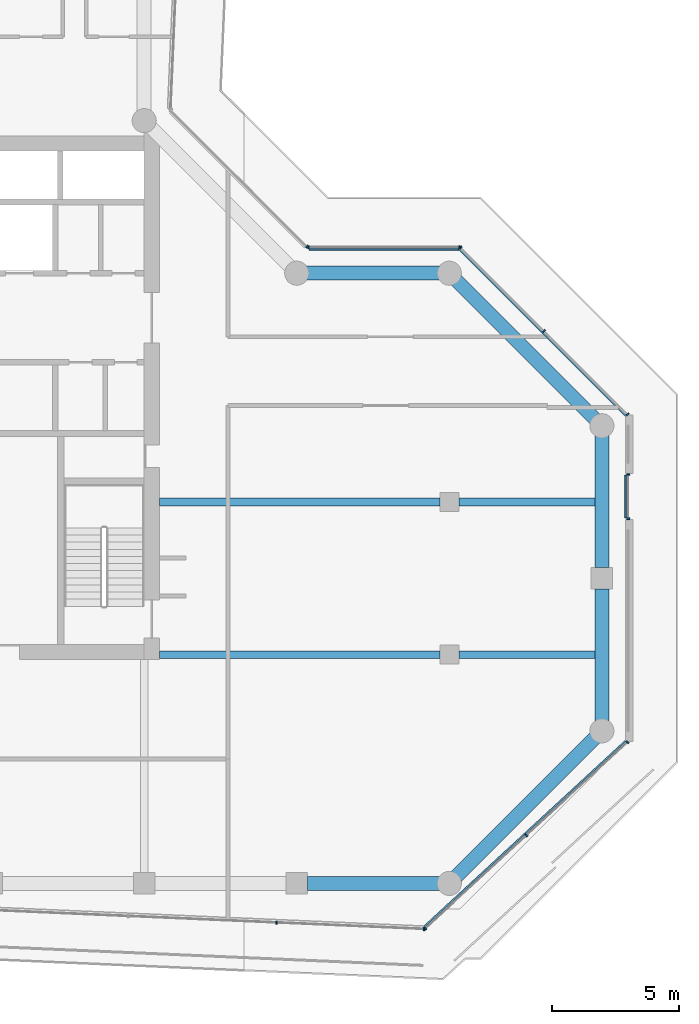
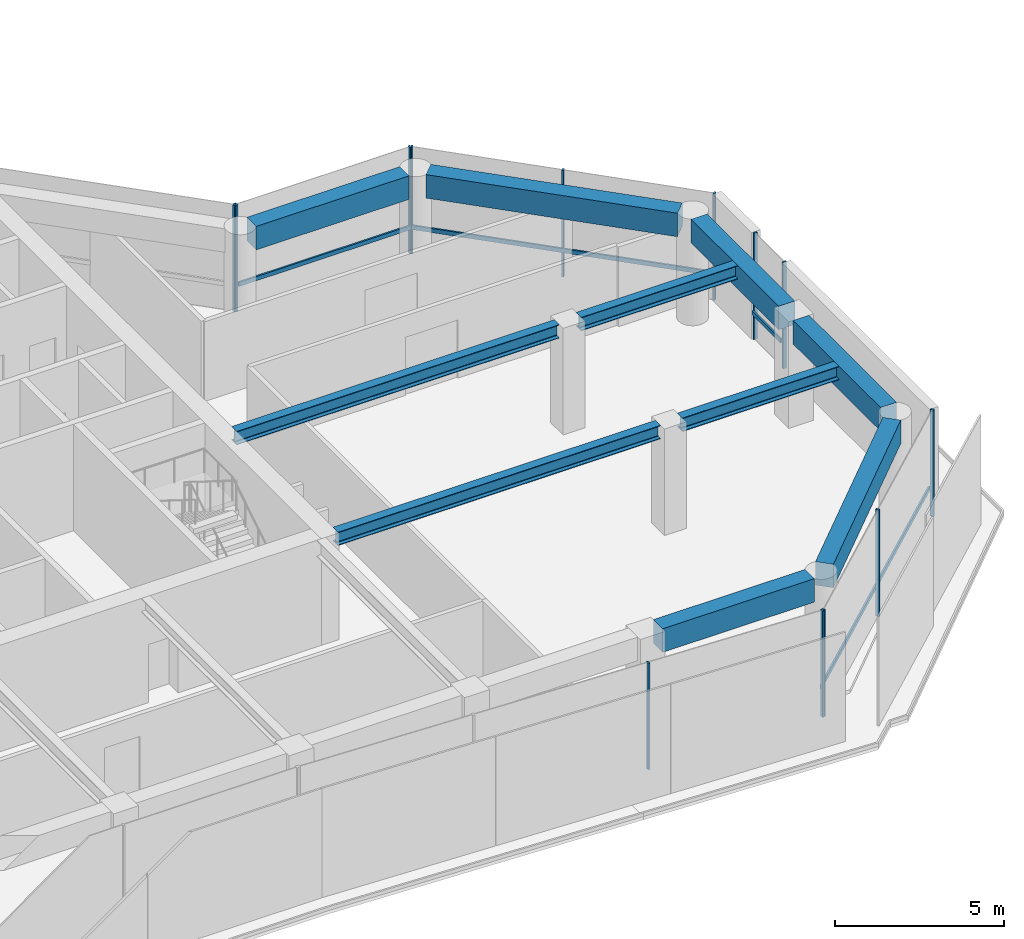
# One storey, part 6 of 21: 17 members, 10 beams, 6 elements without a shape of their own.
"""IFC4 building model written with IfcOpenShell, lengths in metres."""

from ifc_helpers import new_model, si_unit, direction, frame, origin, origin_2d, place, context, subcontext, project, spatial, rectangle, i_section, extrude, material, layer, layer_set, material_profile, profile_set, type_object, element, aggregate, save


model = new_model("IFC4")

# Units and contexts
model_context = context("Model", 3, precision=1e-05, world=origin(), true_north=direction((0.0, 1.0)))
body_context = subcontext(model_context, "Body", "Model", "MODEL_VIEW")
ifc_project = project(units=[si_unit("LENGTHUNIT", "METRE"), si_unit("AREAUNIT", "SQUARE_METRE"), si_unit("VOLUMEUNIT", "CUBIC_METRE"), si_unit("PLANEANGLEUNIT", "RADIAN"), si_unit("MASSUNIT", "GRAM", prefix="KILO")], contexts=[model_context])

# Site, building, storey
site_placement = place(None, origin())
site = spatial("IfcSite", under=ifc_project, at=site_placement, CompositionType="ELEMENT")
building_placement = place(site_placement, origin())
building = spatial("IfcBuilding", under=site, at=building_placement, Name="Welwitschia Terrace Campus", CompositionType="ELEMENT")
storey_placement = place(building_placement, frame((0.0, 0.0, 159.199951171875)))
storey = spatial("IfcBuildingStorey", under=building, at=storey_placement, Name="L35", CompositionType="ELEMENT", Elevation=159.199951171875)

# Beams
ifc_material_1 = material(Name="Steel S355", Category="steel")
ifc_material_profile_1 = material_profile(ifc_material_1, i_section(OverallWidth=0.300048828125, OverallDepth=0.489990234375, WebThickness=0.011962890625, FlangeThickness=0.02294921875, FilletRadius=0.027099609375, at=origin_2d()))
ifc_profile_set_1 = profile_set([ifc_material_profile_1], Name="Steel S355")
beam_type_1 = type_object("IfcBeamType", Name="Interior girder HE 500 A", PredefinedType="BEAM", material=ifc_profile_set_1)
beam_1_placement = place(storey_placement, frame((24.60107421875, 5.0, 3.60498046875), z_axis=(1.0, 0.0, 0.0), x_axis=(0.0, 1.0, 0.0)))
element("IfcBeam", 1, at=beam_1_placement, inside=storey, type_object=beam_type_1, Name="Girder GB4", PredefinedType="BEAM", context=body_context, shape_type="SweptSolid", body=[
    extrude(i_section(OverallWidth=0.300048828125, OverallDepth=0.489990234375, WebThickness=0.011962890625, FlangeThickness=0.02294921875, FilletRadius=0.027099609375, at=origin_2d()), origin(), (0.0, 0.0, 1.0), 11.0234375),
])
beam_2_placement = place(storey_placement, frame((36.37548828125, 5.0, 3.60498046875), z_axis=(1.0, 0.0, 0.0), x_axis=(0.0, 1.0, 0.0)))
element("IfcBeam", 2, at=beam_2_placement, inside=storey, type_object=beam_type_1, Name="Girder GB4", PredefinedType="BEAM", context=body_context, shape_type="SweptSolid", body=[
    extrude(i_section(OverallWidth=0.300048828125, OverallDepth=0.489990234375, WebThickness=0.011962890625, FlangeThickness=0.02294921875, FilletRadius=0.027099609375, at=origin_2d()), origin(), (0.0, 0.0, 1.0), 5.634521484375),
])
beam_3_placement = place(storey_placement, frame((24.60107421875, 11.0, 3.60498046875), z_axis=(1.0, 0.0, 0.0), x_axis=(0.0, 1.0, 0.0)))
element("IfcBeam", 3, at=beam_3_placement, inside=storey, type_object=beam_type_1, Name="Girder GB4", PredefinedType="BEAM", context=body_context, shape_type="SweptSolid", body=[
    extrude(i_section(OverallWidth=0.300048828125, OverallDepth=0.489990234375, WebThickness=0.011962890625, FlangeThickness=0.02294921875, FilletRadius=0.027099609375, at=origin_2d()), origin(), (0.0, 0.0, 1.0), 11.0234375),
])
beam_4_placement = place(storey_placement, frame((36.37548828125, 11.0, 3.60498046875), z_axis=(1.0, 0.0, 0.0), x_axis=(0.0, 1.0, 0.0)))
element("IfcBeam", 4, at=beam_4_placement, inside=storey, type_object=beam_type_1, Name="Girder GB4", PredefinedType="BEAM", context=body_context, shape_type="SweptSolid", body=[
    extrude(i_section(OverallWidth=0.300048828125, OverallDepth=0.489990234375, WebThickness=0.011962890625, FlangeThickness=0.02294921875, FilletRadius=0.027099609375, at=origin_2d()), origin(), (0.0, 0.0, 1.0), 5.634521484375),
])

# Curtain wall, members
ifc_material_2 = material(Name="Bronze anodised aluminium", Category="aluminium")
ifc_layer = layer(ifc_material_2, 0.1201171875)
ifc_layer_set = layer_set([ifc_layer], Name="Bronze anodised aluminium")
curtain_wall_type = type_object("IfcCurtainWallType", Name="Curtain wall CW2 tower 6000", PredefinedType="NOTDEFINED", material=ifc_layer_set)
curtain_wall_1_placement = place(storey_placement, origin())
curtain_wall_1 = element("IfcCurtainWall", 5, at=curtain_wall_1_placement, inside=storey, type_object=curtain_wall_type, Name="CW L35.3.0", PredefinedType="NOTDEFINED")
ifc_material_3 = material(Name="Bronze anodised aluminium", Category="aluminium")
ifc_material_profile_2 = material_profile(ifc_material_3, rectangle(XDim=0.1201171875, YDim=0.06005859375, at=origin_2d()))
ifc_profile_set_2 = profile_set([ifc_material_profile_2], Name="Bronze anodised aluminium")
member_type_1 = type_object("IfcMemberType", Name="Mullion 60x120", PredefinedType="MULLION", material=ifc_profile_set_2)
member_1_placement = place(storey_placement, frame((29.199951171875, -5.53955078125, 0.0), z_axis=(0.0, 0.0, 1.0), x_axis=(0.043619387365, 0.999048221582, 0.0)))
member_1 = element("IfcMember", 6, at=member_1_placement, type_object=member_type_1, Name="Mullion L35.3.0.2", PredefinedType="MULLION", context=body_context, shape_type="SweptSolid", body=[
    extrude(rectangle(XDim=0.1201171875, YDim=0.06005859375, at=origin_2d()), origin(), (0.0, 0.0, 1.0), 3.85009765625),
])
member_2_placement = place(storey_placement, frame((35.00634765625, -5.793212890625, 0.0), z_axis=(0.0, 0.0, 1.0), x_axis=(0.043619387365, 0.999048221582, 0.0)))
member_2 = element("IfcMember", 7, at=member_2_placement, type_object=member_type_1, Name="Mullion L35.3.0.3", PredefinedType="MULLION", context=body_context, shape_type="SweptSolid", body=[
    extrude(rectangle(XDim=0.1201171875, YDim=0.06005859375, at=origin_2d()), origin(), (0.0, 0.0, 1.0), 3.85009765625),
])
aggregate(curtain_wall_1, [member_1, member_2])

curtain_wall_2_placement = place(storey_placement, origin())
curtain_wall_2 = element("IfcCurtainWall", 8, at=curtain_wall_2_placement, inside=storey, type_object=curtain_wall_type, Name="CW L35.4.0", PredefinedType="NOTDEFINED")
member_3_placement = place(storey_placement, frame((35.058349609375, -5.774169921875, 0.0), z_axis=(0.0, 0.0, 1.0), x_axis=(-0.677730030017, 0.735310822995, 0.0)))
member_3 = element("IfcMember", 9, at=member_3_placement, type_object=member_type_1, Name="Mullion L35.4.0.0", PredefinedType="MULLION", context=body_context, shape_type="SweptSolid", body=[
    extrude(rectangle(XDim=0.1201171875, YDim=0.06005859375, at=origin_2d()), origin(), (0.0, 0.0, 1.0), 3.85009765625),
])
member_4_placement = place(storey_placement, frame((39.033203125, -2.110595703125, 0.0), z_axis=(0.0, 0.0, 1.0), x_axis=(-0.677730030017, 0.735310822995, 0.0)))
member_4 = element("IfcMember", 10, at=member_4_placement, type_object=member_type_1, Name="Mullion L35.4.0.1", PredefinedType="MULLION", context=body_context, shape_type="SweptSolid", body=[
    extrude(rectangle(XDim=0.1201171875, YDim=0.06005859375, at=origin_2d()), origin(), (0.0, 0.0, 1.0), 3.85009765625),
])
member_5_placement = place(storey_placement, frame((43.008056640625, 1.552978515625, 0.0), z_axis=(0.0, 0.0, 1.0), x_axis=(-0.677730030017, 0.735310822995, 0.0)))
member_5 = element("IfcMember", 11, at=member_5_placement, type_object=member_type_1, Name="Mullion L35.4.0.2", PredefinedType="MULLION", context=body_context, shape_type="SweptSolid", body=[
    extrude(rectangle(XDim=0.1201171875, YDim=0.06005859375, at=origin_2d()), origin(), (0.0, 0.0, 1.0), 3.85009765625),
])

curtain_wall_3_placement = place(storey_placement, origin())
curtain_wall_3 = element("IfcCurtainWall", 12, at=curtain_wall_3_placement, inside=storey, type_object=curtain_wall_type, Name="CW L35.5.S0", PredefinedType="NOTDEFINED")
member_6_placement = place(storey_placement, frame((43.030029296875, 10.34326171875, 0.0), z_axis=(0.0, 0.0, 1.0), x_axis=(-1.0, 0.0, 0.0)))
member_6 = element("IfcMember", 13, at=member_6_placement, type_object=member_type_1, Name="Mullion L35.5.S0.0", PredefinedType="MULLION", context=body_context, shape_type="SweptSolid", body=[
    extrude(rectangle(XDim=0.1201171875, YDim=0.06005859375, at=origin_2d()), origin(), (0.0, 0.0, 1.0), 3.85009765625),
])
member_7_placement = place(storey_placement, frame((43.030029296875, 12.083251953125, 0.0), z_axis=(0.0, 0.0, 1.0), x_axis=(-1.0, 0.0, 0.0)))
member_7 = element("IfcMember", 14, at=member_7_placement, type_object=member_type_1, Name="Mullion L35.5.S0.1", PredefinedType="MULLION", context=body_context, shape_type="SweptSolid", body=[
    extrude(rectangle(XDim=0.1201171875, YDim=0.06005859375, at=origin_2d()), origin(), (0.0, 0.0, 1.0), 3.85009765625),
])

curtain_wall_4_placement = place(storey_placement, origin())
curtain_wall_4 = element("IfcCurtainWall", 15, at=curtain_wall_4_placement, inside=storey, type_object=curtain_wall_type, Name="CW L35.6.0", PredefinedType="NOTDEFINED")
member_8_placement = place(storey_placement, frame((43.0087890625, 14.44775390625, 0.0), z_axis=(0.0, 0.0, 1.0), x_axis=(-0.707106781187, -0.707106781187, 0.0)))
member_8 = element("IfcMember", 16, at=member_8_placement, type_object=member_type_1, Name="Mullion L35.6.0.0", PredefinedType="MULLION", context=body_context, shape_type="SweptSolid", body=[
    extrude(rectangle(XDim=0.1201171875, YDim=0.06005859375, at=origin_2d()), origin(), (0.0, 0.0, 1.0), 3.85009765625),
])
member_9_placement = place(storey_placement, frame((39.728271484375, 17.728271484375, 0.0), z_axis=(0.0, 0.0, 1.0), x_axis=(-0.707106781187, -0.707106781187, 0.0)))
member_9 = element("IfcMember", 17, at=member_9_placement, type_object=member_type_1, Name="Mullion L35.6.0.1", PredefinedType="MULLION", context=body_context, shape_type="SweptSolid", body=[
    extrude(rectangle(XDim=0.1201171875, YDim=0.06005859375, at=origin_2d()), origin(), (0.0, 0.0, 1.0), 3.85009765625),
])
member_10_placement = place(storey_placement, frame((36.44775390625, 21.0087890625, 0.0), z_axis=(0.0, 0.0, 1.0), x_axis=(-0.707106781187, -0.707106781187, 0.0)))
member_10 = element("IfcMember", 18, at=member_10_placement, type_object=member_type_1, Name="Mullion L35.6.0.2", PredefinedType="MULLION", context=body_context, shape_type="SweptSolid", body=[
    extrude(rectangle(XDim=0.1201171875, YDim=0.06005859375, at=origin_2d()), origin(), (0.0, 0.0, 1.0), 3.85009765625),
])

curtain_wall_5_placement = place(storey_placement, origin())
curtain_wall_5 = element("IfcCurtainWall", 19, at=curtain_wall_5_placement, inside=storey, type_object=curtain_wall_type, Name="CW L35.7.0", PredefinedType="NOTDEFINED")
member_11_placement = place(storey_placement, frame((36.396728515625, 21.030029296875, 0.0), z_axis=(0.0, 0.0, 1.0), x_axis=(0.0, -1.0, 0.0)))
member_11 = element("IfcMember", 20, at=member_11_placement, type_object=member_type_1, Name="Mullion L35.7.0.0", PredefinedType="MULLION", context=body_context, shape_type="SweptSolid", body=[
    extrude(rectangle(XDim=0.1201171875, YDim=0.06005859375, at=origin_2d()), origin(), (0.0, 0.0, 1.0), 3.85009765625),
])
member_12_placement = place(storey_placement, frame((30.45654296875, 21.030029296875, 0.0), z_axis=(0.0, 0.0, 1.0), x_axis=(0.0, -1.0, 0.0)))
member_12 = element("IfcMember", 21, at=member_12_placement, type_object=member_type_1, Name="Mullion L35.7.0.1", PredefinedType="MULLION", context=body_context, shape_type="SweptSolid", body=[
    extrude(rectangle(XDim=0.1201171875, YDim=0.06005859375, at=origin_2d()), origin(), (0.0, 0.0, 1.0), 3.85009765625),
])

# Curtain wall, member
curtain_wall_6_placement = place(storey_placement, origin())
curtain_wall_6 = element("IfcCurtainWall", 22, at=curtain_wall_6_placement, inside=storey, type_object=curtain_wall_type, Name="CW L35.8.0", PredefinedType="NOTDEFINED")
member_13_placement = place(storey_placement, frame((30.405517578125, 21.05126953125, 0.0), z_axis=(0.0, 0.0, 1.0), x_axis=(-0.707106781187, -0.707106781187, 0.0)))
member_13 = element("IfcMember", 23, at=member_13_placement, type_object=member_type_1, Name="Mullion L35.8.0.0", PredefinedType="MULLION", context=body_context, shape_type="SweptSolid", body=[
    extrude(rectangle(XDim=0.1201171875, YDim=0.06005859375, at=origin_2d()), origin(), (0.0, 0.0, 1.0), 3.85009765625),
])
aggregate(curtain_wall_6, [member_13])

# Beams
ifc_material_4 = material(Name="Concrete C50/60", Category="concrete")
ifc_material_profile_3 = material_profile(ifc_material_4, rectangle(XDim=0.550048828125, YDim=0.85009765625, at=origin_2d()))
ifc_profile_set_3 = profile_set([ifc_material_profile_3], Name="Concrete C50/60")
beam_type_2 = type_object("IfcBeamType", Name="Ring spandrel 550x850", PredefinedType="SPANDREL", material=ifc_profile_set_3)
beam_5_placement = place(storey_placement, frame((30.425537109375, -4.0, 3.425048828125), z_axis=(1.0, 0.0, 0.0), x_axis=(0.0, 1.0, 0.0)))
element("IfcBeam", 24, at=beam_5_placement, inside=storey, type_object=beam_type_2, Name="Spandrel SP3", PredefinedType="SPANDREL", context=body_context, shape_type="SweptSolid", body=[
    extrude(rectangle(XDim=0.550048828125, YDim=0.85009765625, at=origin_2d()), origin(), (0.0, 0.0, 1.0), 5.1865234375),
])
beam_6_placement = place(storey_placement, frame((36.2744140625, -3.7255859375, 3.425048828125), z_axis=(0.707106781187, 0.707106781187, 0.0), x_axis=(-0.707106781187, 0.707106781187, 0.0)))
element("IfcBeam", 25, at=beam_6_placement, inside=storey, type_object=beam_type_2, Name="Spandrel SP3", PredefinedType="SPANDREL", context=body_context, shape_type="SweptSolid", body=[
    extrude(rectangle(XDim=0.550048828125, YDim=0.85009765625, at=origin_2d()), origin(), (0.0, 0.0, 1.0), 7.709228515625),
])
for number, where, z_axis, x_axis, name in (
    (26, (42.0, 2.387939453125, 3.425048828125), (0.0, 1.0, 0.0), (-1.0, 0.0, 0.0), "Spandrel SP3"),
    (27, (42.0, 8.425537109375, 3.425048828125), (0.0, 1.0, 0.0), (-1.0, 0.0, 0.0), "Spandrel SP3"),
):
    element("IfcBeam", number, at=place(storey_placement, frame(where, z_axis=z_axis, x_axis=x_axis)), inside=storey, type_object=beam_type_2, Name=name, PredefinedType="SPANDREL", context=body_context, shape_type="SweptSolid", body=[
        extrude(rectangle(XDim=0.550048828125, YDim=0.85009765625, at=origin_2d()), origin(), (0.0, 0.0, 1.0), 5.1865234375),
    ])
beam_7_placement = place(storey_placement, frame((41.7255859375, 14.2744140625, 3.425048828125), z_axis=(-0.707106781187, 0.707106781187, 0.0), x_axis=(-0.707106781187, -0.707106781187, 0.0)))
element("IfcBeam", 28, at=beam_7_placement, inside=storey, type_object=beam_type_2, Name="Spandrel SP3", PredefinedType="SPANDREL", context=body_context, shape_type="SweptSolid", body=[
    extrude(rectangle(XDim=0.550048828125, YDim=0.85009765625, at=origin_2d()), origin(), (0.0, 0.0, 1.0), 7.709228515625),
])
beam_8_placement = place(storey_placement, frame((35.612060546875, 20.0, 3.425048828125), z_axis=(-1.0, 0.0, 0.0), x_axis=(0.0, -1.0, 0.0)))
element("IfcBeam", 29, at=beam_8_placement, inside=storey, type_object=beam_type_2, Name="Spandrel SP3", PredefinedType="SPANDREL", context=body_context, shape_type="SweptSolid", body=[
    extrude(rectangle(XDim=0.550048828125, YDim=0.85009765625, at=origin_2d()), origin(), (0.0, 0.0, 1.0), 5.22412109375),
])

# Member
ifc_material_5 = material(Name="Bronze anodised aluminium", Category="aluminium")
ifc_material_profile_4 = material_profile(ifc_material_5, rectangle(XDim=0.06005859375, YDim=0.14990234375, at=origin_2d()))
ifc_profile_set_4 = profile_set([ifc_material_profile_4], Name="Bronze anodised aluminium")
member_type_2 = type_object("IfcMemberType", Name="Transom 60x150", PredefinedType="USERDEFINED", material=ifc_profile_set_4)
member_14_placement = place(storey_placement, frame((35.019287109375, -5.6875, 1.0), z_axis=(0.735314279427, 0.677726279902, 0.0), x_axis=(-0.677726279902, 0.735314279427, 0.0)))
member_14 = element("IfcMember", 30, at=member_14_placement, type_object=member_type_2, Name="Transom L35.4.0", ObjectType="TRANSOM", PredefinedType="USERDEFINED", context=body_context, shape_type="SweptSolid", body=[
    extrude(rectangle(XDim=0.06005859375, YDim=0.14990234375, at=origin_2d()), origin(), (0.0, 0.0, 1.0), 10.751220703125),
])

aggregate(curtain_wall_2, [member_3, member_4, member_5, member_14])

member_15_placement = place(storey_placement, frame((42.93994140625, 10.373291015625, 1.0), z_axis=(0.0, 1.0, 0.0), x_axis=(-1.0, 0.0, 0.0)))
member_15 = element("IfcMember", 31, at=member_15_placement, type_object=member_type_2, Name="Transom L35.5.S0", ObjectType="TRANSOM", PredefinedType="USERDEFINED", context=body_context, shape_type="SweptSolid", body=[
    extrude(rectangle(XDim=0.06005859375, YDim=0.14990234375, at=origin_2d()), origin(), (0.0, 0.0, 1.0), 1.679931640625),
])

aggregate(curtain_wall_3, [member_6, member_7, member_15])

member_16_placement = place(storey_placement, frame((42.923828125, 14.405517578125, 1.0), z_axis=(-0.707106781187, 0.707106781187, 0.0), x_axis=(-0.707106781187, -0.707106781187, 0.0)))
member_16 = element("IfcMember", 32, at=member_16_placement, type_object=member_type_2, Name="Transom L35.6.0", ObjectType="TRANSOM", PredefinedType="USERDEFINED", context=body_context, shape_type="SweptSolid", body=[
    extrude(rectangle(XDim=0.06005859375, YDim=0.14990234375, at=origin_2d()), origin(), (0.0, 0.0, 1.0), 9.21826171875),
])

aggregate(curtain_wall_4, [member_8, member_9, member_10, member_16])

member_17_placement = place(storey_placement, frame((36.36669921875, 20.93994140625, 1.0), z_axis=(-1.0, 0.0, 0.0), x_axis=(0.0, -1.0, 0.0)))
member_17 = element("IfcMember", 33, at=member_17_placement, type_object=member_type_2, Name="Transom L35.7.0", ObjectType="TRANSOM", PredefinedType="USERDEFINED", context=body_context, shape_type="SweptSolid", body=[
    extrude(rectangle(XDim=0.06005859375, YDim=0.14990234375, at=origin_2d()), origin(), (0.0, 0.0, 1.0), 5.880126953125),
])

aggregate(curtain_wall_5, [member_11, member_12, member_17])

save(model, "model.ifc")
